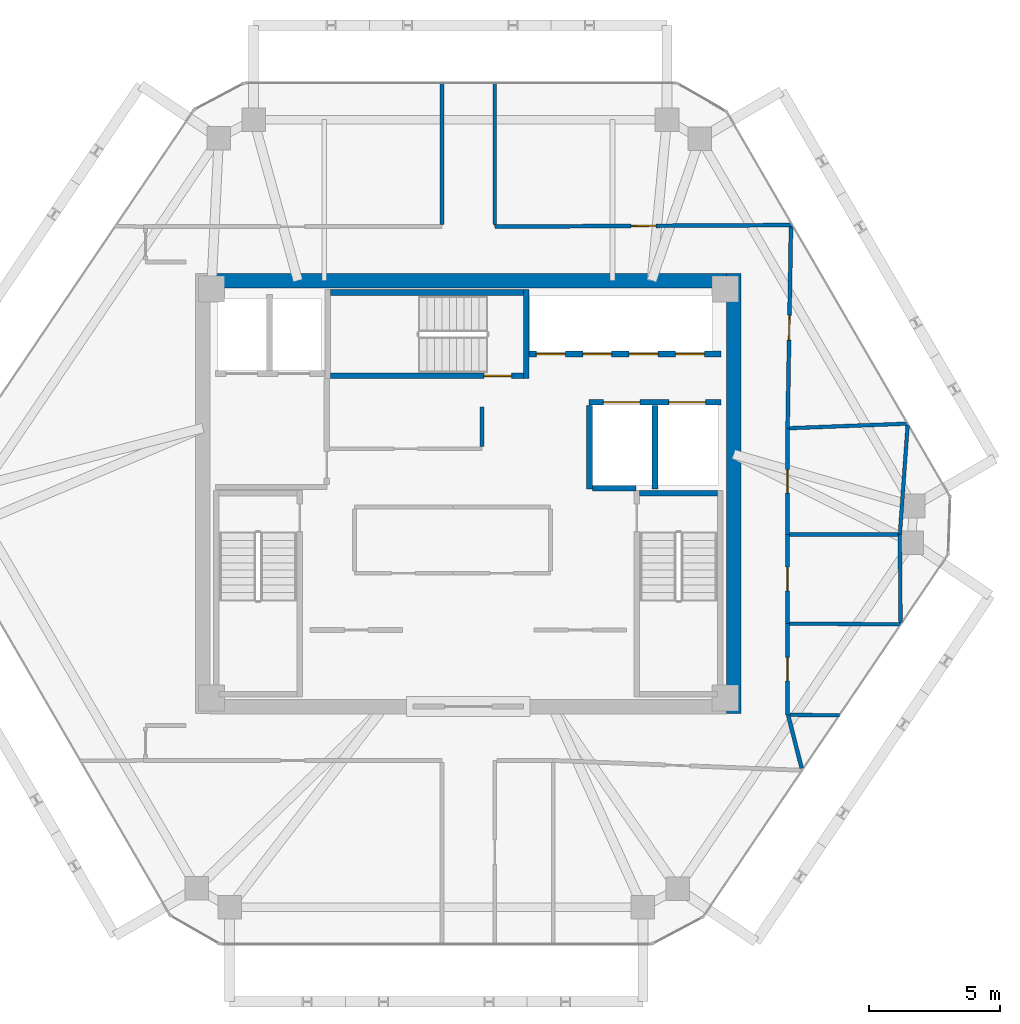
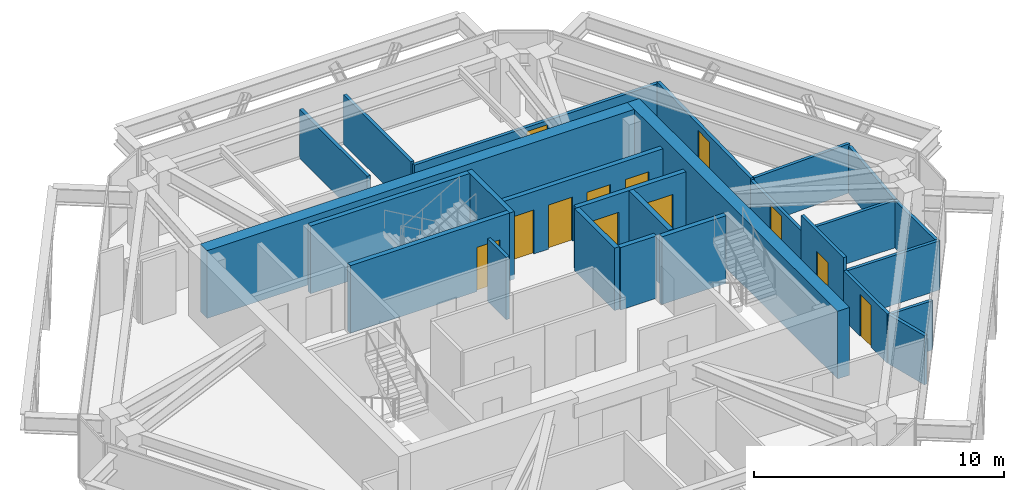
# One storey, part 9 of 11: 26 walls, 12 doors, 12 openings.
"""IFC4 building model written with IfcOpenShell, lengths in metres."""

from ifc_helpers import new_model, si_unit, direction, frame, frame_2d, origin, place, context, subcontext, project, spatial, rectangle, extrude, source, transform, mapped, material, layer, layer_set, type_object, type_shapes, element, fill, save


model = new_model("IFC4")

# Units and contexts
model_context = context("Model", 3, precision=1e-05, world=origin(), true_north=direction((0.0, 1.0)))
body_context = subcontext(model_context, "Body", "Model", "MODEL_VIEW")
ifc_project = project(units=[si_unit("LENGTHUNIT", "METRE"), si_unit("AREAUNIT", "SQUARE_METRE"), si_unit("VOLUMEUNIT", "CUBIC_METRE"), si_unit("PLANEANGLEUNIT", "RADIAN"), si_unit("MASSUNIT", "GRAM", prefix="KILO")], contexts=[model_context])

# Site, building, storey
site_placement = place(None, origin())
site = spatial("IfcSite", under=ifc_project, at=site_placement, CompositionType="ELEMENT")
building_placement = place(site_placement, origin())
building = spatial("IfcBuilding", under=site, at=building_placement, Name="Durnholm Broadcast Tower", CompositionType="ELEMENT")
storey_placement = place(building_placement, frame((0.0, 0.0, 224.89990234375)))
storey = spatial("IfcBuildingStorey", under=building, at=storey_placement, Name="L62", CompositionType="ELEMENT", Elevation=224.89990234375)

# Walls
ifc_material_1 = material(Name="Concrete C70/85", Category="concrete")
ifc_layer_1 = layer(ifc_material_1, 0.550048828125)
ifc_layer_set_1 = layer_set([ifc_layer_1], Name="Concrete C70/85")
wall_type_1 = type_object("IfcWallType", Name="WALL-CW-550", PredefinedType="SHEAR", material=ifc_layer_set_1)
wall_1_placement = place(storey_placement, frame((10.125, -8.39990234375, 0.0), z_axis=(0.0, 0.0, 1.0), x_axis=(0.0, 1.0, 0.0)))
element("IfcWall", 1, at=wall_1_placement, inside=storey, type_object=wall_type_1, Name="L62 central core shear wall CW-EAST", PredefinedType="SHEAR", context=body_context, shape_type="SweptSolid", body=[
    extrude(rectangle(XDim=16.7998046875, YDim=0.550048828125, at=frame_2d((8.39990234375, 0.0))), origin(), (0.0, 0.0, 1.0), 3.300048828125),
])
wall_2_placement = place(storey_placement, frame((-9.85009765625, 8.125, 0.0), z_axis=(0.0, 0.0, 1.0), x_axis=(1.0, 0.0, 0.0)))
element("IfcWall", 2, at=wall_2_placement, inside=storey, type_object=wall_type_1, Name="L62 central core shear wall CW-N", PredefinedType="SHEAR", context=body_context, shape_type="SweptSolid", body=[
    extrude(rectangle(XDim=19.7001953125, YDim=0.550048828125, at=frame_2d((9.85009765625, 0.0))), origin(), (0.0, 0.0, 1.0), 3.300048828125),
])
ifc_material_2 = material(Name="Acoustic Gypsum Stud Partition", Category="concrete")
ifc_layer_2 = layer(ifc_material_2, 0.14990234375)
ifc_layer_set_2 = layer_set([ifc_layer_2], Name="Acoustic Gypsum Stud Partition")
wall_type_2 = type_object("IfcWallType", Name="WALL-PART-150", PredefinedType="PARTITIONING", material=ifc_layer_set_2)
wall_3_placement = place(storey_placement, frame((0.52001953125, 3.300048828125, 0.0), z_axis=(0.0, 0.0, 1.0), x_axis=(0.0, -1.0, 0.0)))
element("IfcWall", 3, at=wall_3_placement, inside=storey, type_object=wall_type_2, Name="L62 Core Housekeeping Room corridor partition", PredefinedType="PARTITIONING", context=body_context, shape_type="SweptSolid", body=[
    extrude(rectangle(XDim=1.510986328125, YDim=0.14990234375, at=frame_2d((0.75537109375, 0.0))), origin(), (0.0, 0.0, 1.0), 3.045166015625),
])
wall_4_placement = place(storey_placement, frame((-1.010009765625, 15.662109375, 0.0), z_axis=(0.0, 0.0, 1.0), x_axis=(0.0, -1.0, 0.0)))
element("IfcWall", 4, at=wall_4_placement, inside=storey, type_object=wall_type_2, Name="L62 Open Plan Broadcast Workspace 2 corridor partition", PredefinedType="PARTITIONING", context=body_context, shape_type="SweptSolid", body=[
    extrude(rectangle(XDim=5.403076171875, YDim=0.14990234375, at=frame_2d((2.70166015625, 0.0))), origin(), (0.0, 0.0, 1.0), 2.39892578125),
])

# Wall, opening, door
wall_5_placement = place(storey_placement, frame((12.368408203125, 10.242919921875, 0.0), z_axis=(0.0, 0.0, 1.0), x_axis=(-0.999984623931, -0.005545439622, 0.0)))
wall_5 = element("IfcWall", 5, at=wall_5_placement, inside=storey, type_object=wall_type_2, Name="L62 Open Plan Broadcast Workspace 3 corridor partition", PredefinedType="PARTITIONING", context=body_context, shape_type="SweptSolid", body=[
    extrude(rectangle(XDim=11.358642578125, YDim=0.14990234375, at=frame_2d((5.67919921875, 0.0))), origin(), (0.0, 0.0, 1.0), 2.301513671875),
])
opening_1_placement = place(wall_5_placement, frame((5.2041015625, 0.0, 0.0)))
opening_1 = element("IfcOpeningElement", 6, at=opening_1_placement, cuts=wall_5, Name="Opening DR-95R", PredefinedType="OPENING", context=body_context, shape_type="SweptSolid", body=[
    extrude(rectangle(XDim=0.949951171875, YDim=2.10009765625, at=frame_2d((0.47509765625, 1.050048828125))), frame((0.0, 0.0849609375, 0.0), z_axis=(0.0, -1.0, 0.0), x_axis=(1.0, 0.0, 0.0)), (0.0, 0.0, 1.0), 0.169921875),
])
ifc_material_3 = material(Name="Acoustic Oak Veneer Timber Door", Category="wood")
ifc_layer_3 = layer(ifc_material_3, 0.050048828125)
ifc_layer_set_3 = layer_set([ifc_layer_3], Name="Acoustic Oak Veneer Timber Door")
door_type_1 = type_object("IfcDoorType", Name="DOOR-RM-950R", OperationType="NOTDEFINED", PredefinedType="DOOR", material=ifc_layer_set_3)
shared_shape_1 = source(origin(), body_context, "Body", "SweptSolid", [
    extrude(rectangle(XDim=0.949951171875, YDim=2.10009765625, at=frame_2d((0.47509765625, 1.050048828125))), frame((0.0, 0.02490234375, 0.0), z_axis=(0.0, -1.0, 0.0), x_axis=(1.0, 0.0, 0.0)), (0.0, 0.0, 1.0), 0.050048828125),
])
type_shapes(door_type_1, [shared_shape_1])
door_1_placement = place(opening_1_placement, origin())
door_1 = element("IfcDoor", 7, at=door_1_placement, inside=storey, type_object=door_type_1, Name="L62 Open Plan Broadcast Workspace 3 entrance door", OperationType="SINGLE_SWING_RIGHT", OverallHeight=2.10009765625, OverallWidth=0.949951171875, PredefinedType="DOOR", context=body_context, shape_type="MappedRepresentation", body=[
    mapped(shared_shape_1, transform((0.0, 0.0, 0.0), x_axis=(1.0, 0.0, 0.0), y_axis=(0.0, 1.0, 0.0), z_axis=(0.0, 0.0, 1.0), scale=1.0)),
])
fill(opening_1, door_1)

# Walls
wall_6_placement = place(storey_placement, frame((1.010009765625, 10.259033203125, 0.0), z_axis=(0.0, 0.0, 1.0), x_axis=(0.0, 1.0, 0.0)))
element("IfcWall", 8, at=wall_6_placement, inside=storey, type_object=wall_type_2, Name="L62 Open Plan Broadcast Workspace 3 corridor partition", PredefinedType="PARTITIONING", context=body_context, shape_type="SweptSolid", body=[
    extrude(rectangle(XDim=5.403076171875, YDim=0.14990234375, at=frame_2d((2.70166015625, 0.0))), origin(), (0.0, 0.0, 1.0), 2.39892578125),
])
wall_7_placement = place(storey_placement, frame((12.718505859375, -10.477783203125, 0.0), z_axis=(0.0, 0.0, 1.0), x_axis=(-0.246494896578, 0.96914408937, 0.0)))
element("IfcWall", 9, at=wall_7_placement, inside=storey, type_object=wall_type_2, Name="L62 Open Plan Broadcast Workspace 6 corridor partition", PredefinedType="PARTITIONING", context=body_context, shape_type="SweptSolid", body=[
    extrude(rectangle(XDim=2.102783203125, YDim=0.14990234375, at=frame_2d((1.05126953125, 0.0))), origin(), (0.0, 0.0, 1.0), 2.39892578125),
])

# Wall, opening, door
wall_8_placement = place(storey_placement, frame((12.181396484375, 2.489990234375, 0.0), z_axis=(0.0, 0.0, 1.0), x_axis=(0.016828134389, 0.999858396921, 0.0)))
wall_8 = element("IfcWall", 10, at=wall_8_placement, inside=storey, type_object=wall_type_2, Name="L62 Open Plan Broadcast Workspace 3 corridor partition", PredefinedType="PARTITIONING", context=body_context, shape_type="SweptSolid", body=[
    extrude(rectangle(XDim=7.674560546875, YDim=0.14990234375, at=frame_2d((3.83740234375, 0.0))), origin(), (0.0, 0.0, 1.0), 2.39892578125),
])
opening_2_placement = place(wall_8_placement, frame((3.3623046875, 0.0, 0.0)))
opening_2 = element("IfcOpeningElement", 11, at=opening_2_placement, cuts=wall_8, Name="Opening DR-95R", PredefinedType="OPENING", context=body_context, shape_type="SweptSolid", body=[
    extrude(rectangle(XDim=0.949951171875, YDim=2.10009765625, at=frame_2d((0.47509765625, 1.050048828125))), frame((0.0, 0.0849609375, 0.0), z_axis=(0.0, -1.0, 0.0), x_axis=(1.0, 0.0, 0.0)), (0.0, 0.0, 1.0), 0.169921875),
])
door_2_placement = place(opening_2_placement, origin())
door_2 = element("IfcDoor", 12, at=door_2_placement, inside=storey, type_object=door_type_1, Name="L62 Open Plan Broadcast Workspace 3 entrance door", OperationType="SINGLE_SWING_RIGHT", OverallHeight=2.10009765625, OverallWidth=0.949951171875, PredefinedType="DOOR", context=body_context, shape_type="MappedRepresentation", body=[
    mapped(shared_shape_1, transform((0.0, 0.0, 0.0), x_axis=(1.0, 0.0, 0.0), y_axis=(0.0, 1.0, 0.0), z_axis=(0.0, 0.0, 1.0), scale=1.0)),
])
fill(opening_2, door_2)

# Wall, openings, doors
ifc_material_4 = material(Name="Concrete Blockwork C30/37", Category="masonry")
ifc_layer_4 = layer(ifc_material_4, 0.219970703125)
ifc_layer_set_4 = layer_set([ifc_layer_4], Name="Concrete Blockwork C30/37")
wall_type_3 = type_object("IfcWallType", Name="WALL-SHAFT-220", PredefinedType="SOLIDWALL", material=ifc_layer_set_4)
wall_9_placement = place(storey_placement, frame((4.60009765625, 3.47998046875, 0.0), z_axis=(0.0, 0.0, 1.0), x_axis=(1.0, 0.0, 0.0)))
wall_9 = element("IfcWall", 13, at=wall_9_placement, inside=storey, type_object=wall_type_3, Name="L62 freight service lifts north front wall", PredefinedType="SOLIDWALL", context=body_context, shape_type="SweptSolid", body=[
    extrude(rectangle(XDim=5.0498046875, YDim=0.219970703125, at=frame_2d((2.52490234375, 0.0))), origin(), (0.0, 0.0, 1.0), 3.045166015625),
])
opening_3_placement = place(wall_9_placement, frame((0.550048828125, 0.0, 0.0)))
opening_3 = element("IfcOpeningElement", 14, at=opening_3_placement, cuts=wall_9, Name="Opening LD-SVL-2", PredefinedType="OPENING", context=body_context, shape_type="SweptSolid", body=[
    extrude(rectangle(XDim=1.39990234375, YDim=2.14990234375, at=frame_2d((0.699951171875, 1.074951171875))), frame((0.0, 0.1201171875, 0.0), z_axis=(0.0, -1.0, 0.0), x_axis=(1.0, 0.0, 0.0)), (0.0, 0.0, 1.0), 0.239990234375),
])
opening_4_placement = place(wall_9_placement, frame((3.050048828125, 0.0, 0.0)))
opening_4 = element("IfcOpeningElement", 15, at=opening_4_placement, cuts=wall_9, Name="Opening LD-SVL-1", PredefinedType="OPENING", context=body_context, shape_type="SweptSolid", body=[
    extrude(rectangle(XDim=1.39990234375, YDim=2.14990234375, at=frame_2d((0.699951171875, 1.074951171875))), frame((0.0, 0.1201171875, 0.0), z_axis=(0.0, -1.0, 0.0), x_axis=(1.0, 0.0, 0.0)), (0.0, 0.0, 1.0), 0.239990234375),
])
ifc_material_5 = material(Name="Freight Elevator Bi-Parting Sliding Landing Door", Category="steel")
ifc_layer_5 = layer(ifc_material_5, 0.050048828125)
ifc_layer_set_5 = layer_set([ifc_layer_5], Name="Freight Elevator Bi-Parting Sliding Landing Door")
door_type_2 = type_object("IfcDoorType", Name="DOOR-LIFT-SVL", OperationType="DOUBLE_DOOR_SLIDING", PredefinedType="DOOR", material=ifc_layer_set_5)
shared_shape_2 = source(origin(), body_context, "Body", "SweptSolid", [
    extrude(rectangle(XDim=1.39990234375, YDim=2.14990234375, at=frame_2d((0.699951171875, 1.074951171875))), frame((0.0, 0.02490234375, 0.0), z_axis=(0.0, -1.0, 0.0), x_axis=(1.0, 0.0, 0.0)), (0.0, 0.0, 1.0), 0.050048828125),
])
type_shapes(door_type_2, [shared_shape_2])
door_3_placement = place(opening_3_placement, origin())
door_3 = element("IfcDoor", 16, at=door_3_placement, inside=storey, type_object=door_type_2, Name="L62 freight service elevator SVL-2 sliding landing door", OperationType="DOUBLE_DOOR_SLIDING", OverallHeight=2.14990234375, OverallWidth=1.39990234375, PredefinedType="DOOR", context=body_context, shape_type="MappedRepresentation", body=[
    mapped(shared_shape_2, transform((0.0, 0.0, 0.0), x_axis=(1.0, 0.0, 0.0), y_axis=(0.0, 1.0, 0.0), z_axis=(0.0, 0.0, 1.0), scale=1.0)),
])
fill(opening_3, door_3)
door_4_placement = place(opening_4_placement, origin())
door_4 = element("IfcDoor", 17, at=door_4_placement, inside=storey, type_object=door_type_2, Name="L62 freight service elevator SVL-1 sliding landing door", OperationType="DOUBLE_DOOR_SLIDING", OverallHeight=2.14990234375, OverallWidth=1.39990234375, PredefinedType="DOOR", context=body_context, shape_type="MappedRepresentation", body=[
    mapped(shared_shape_2, transform((0.0, 0.0, 0.0), x_axis=(1.0, 0.0, 0.0), y_axis=(0.0, 1.0, 0.0), z_axis=(0.0, 0.0, 1.0), scale=1.0)),
])
fill(opening_4, door_4)

# Walls
for number, where, z_axis, x_axis, name in (
    (18, (4.6201171875, 0.179931640625, 0.0), (0.0, 0.0, 1.0), (0.0, 1.0, 0.0), "L62 freight service lift SVL-2 west wall"),
    (19, (7.1201171875, 0.179931640625, 0.0), (0.0, 0.0, 1.0), (0.0, 1.0, 0.0), "L62 freight service lifts divider wall"),
):
    element("IfcWall", number, at=place(storey_placement, frame(where, z_axis=z_axis, x_axis=x_axis)), inside=storey, type_object=wall_type_3, Name=name, PredefinedType="SOLIDWALL", context=body_context, shape_type="SweptSolid", body=[
        extrude(rectangle(XDim=3.18603515625, YDim=0.219970703125, at=frame_2d((1.593017578125, 0.0))), origin(), (0.0, 0.0, 1.0), 3.045166015625),
    ])
wall_10_placement = place(storey_placement, frame((4.73388671875, 0.199951171875, 0.0), z_axis=(0.0, 0.0, 1.0), x_axis=(1.0, 0.0, 0.0)))
element("IfcWall", 20, at=wall_10_placement, inside=storey, type_object=wall_type_3, Name="L62 freight service lift SVL-2 south wall", PredefinedType="SOLIDWALL", context=body_context, shape_type="SweptSolid", body=[
    extrude(rectangle(XDim=1.666015625, YDim=0.219970703125, at=frame_2d((0.8330078125, 0.0))), origin(), (0.0, 0.0, 1.0), 3.045166015625),
])

# Wall, openings, doors
wall_11_placement = place(storey_placement, frame((2.324951171875, 5.320068359375, 0.0), z_axis=(0.0, 0.0, 1.0), x_axis=(1.0, 0.0, 0.0)))
wall_11 = element("IfcWall", 21, at=wall_11_placement, inside=storey, type_object=wall_type_3, Name="L62 high-rise bank P3 south front wall", PredefinedType="SOLIDWALL", context=body_context, shape_type="SweptSolid", body=[
    extrude(rectangle(XDim=7.324951171875, YDim=0.219970703125, at=frame_2d((3.66259765625, 0.0))), origin(), (0.0, 0.0, 1.0), 3.045166015625),
])
opening_5_placement = place(wall_11_placement, frame((0.27490234375, 0.0, 0.0)))
opening_5 = element("IfcOpeningElement", 22, at=opening_5_placement, cuts=wall_11, Name="Opening LD-LP3-1", PredefinedType="OPENING", context=body_context, shape_type="SweptSolid", body=[
    extrude(rectangle(XDim=1.10009765625, YDim=2.14990234375, at=frame_2d((0.550048828125, 1.074951171875))), frame((0.0, 0.1201171875, 0.0), z_axis=(0.0, -1.0, 0.0), x_axis=(1.0, 0.0, 0.0)), (0.0, 0.0, 1.0), 0.239990234375),
])
opening_6_placement = place(wall_11_placement, frame((2.044921875, 0.0, 0.0)))
opening_6 = element("IfcOpeningElement", 23, at=opening_6_placement, cuts=wall_11, Name="Opening LD-LP3-2", PredefinedType="OPENING", context=body_context, shape_type="SweptSolid", body=[
    extrude(rectangle(XDim=1.10009765625, YDim=2.14990234375, at=frame_2d((0.550048828125, 1.074951171875))), frame((0.0, 0.1201171875, 0.0), z_axis=(0.0, -1.0, 0.0), x_axis=(1.0, 0.0, 0.0)), (0.0, 0.0, 1.0), 0.239990234375),
])
opening_7_placement = place(wall_11_placement, frame((3.81494140625, 0.0, 0.0)))
opening_7 = element("IfcOpeningElement", 24, at=opening_7_placement, cuts=wall_11, Name="Opening LD-LP3-3", PredefinedType="OPENING", context=body_context, shape_type="SweptSolid", body=[
    extrude(rectangle(XDim=1.10009765625, YDim=2.14990234375, at=frame_2d((0.550048828125, 1.074951171875))), frame((0.0, 0.1201171875, 0.0), z_axis=(0.0, -1.0, 0.0), x_axis=(1.0, 0.0, 0.0)), (0.0, 0.0, 1.0), 0.239990234375),
])
opening_8_placement = place(wall_11_placement, frame((5.5849609375, 0.0, 0.0)))
opening_8 = element("IfcOpeningElement", 25, at=opening_8_placement, cuts=wall_11, Name="Opening LD-LP3-4", PredefinedType="OPENING", context=body_context, shape_type="SweptSolid", body=[
    extrude(rectangle(XDim=1.10009765625, YDim=2.14990234375, at=frame_2d((0.550048828125, 1.074951171875))), frame((0.0, 0.1201171875, 0.0), z_axis=(0.0, -1.0, 0.0), x_axis=(1.0, 0.0, 0.0)), (0.0, 0.0, 1.0), 0.239990234375),
])
ifc_material_6 = material(Name="Stainless Steel Sliding Elevator Landing Door", Category="steel")
ifc_layer_6 = layer(ifc_material_6, 0.050048828125)
ifc_layer_set_6 = layer_set([ifc_layer_6], Name="Stainless Steel Sliding Elevator Landing Door")
door_type_3 = type_object("IfcDoorType", Name="DOOR-LIFT-PAX", OperationType="DOUBLE_DOOR_SLIDING", PredefinedType="DOOR", material=ifc_layer_set_6)
shared_shape_3 = source(origin(), body_context, "Body", "SweptSolid", [
    extrude(rectangle(XDim=1.10009765625, YDim=2.14990234375, at=frame_2d((0.550048828125, 1.074951171875))), frame((0.0, 0.02490234375, 0.0), z_axis=(0.0, -1.0, 0.0), x_axis=(1.0, 0.0, 0.0)), (0.0, 0.0, 1.0), 0.050048828125),
])
type_shapes(door_type_3, [shared_shape_3])
door_5_placement = place(opening_5_placement, origin())
door_5 = element("IfcDoor", 26, at=door_5_placement, inside=storey, type_object=door_type_3, Name="L62 high-rise elevator LP3-1 sliding landing door", OperationType="DOUBLE_DOOR_SLIDING", OverallHeight=2.14990234375, OverallWidth=1.10009765625, PredefinedType="DOOR", context=body_context, shape_type="MappedRepresentation", body=[
    mapped(shared_shape_3, transform((0.0, 0.0, 0.0), x_axis=(1.0, 0.0, 0.0), y_axis=(0.0, 1.0, 0.0), z_axis=(0.0, 0.0, 1.0), scale=1.0)),
])
fill(opening_5, door_5)
door_6_placement = place(opening_6_placement, origin())
door_6 = element("IfcDoor", 27, at=door_6_placement, inside=storey, type_object=door_type_3, Name="L62 high-rise elevator LP3-2 sliding landing door", OperationType="DOUBLE_DOOR_SLIDING", OverallHeight=2.14990234375, OverallWidth=1.10009765625, PredefinedType="DOOR", context=body_context, shape_type="MappedRepresentation", body=[
    mapped(shared_shape_3, transform((0.0, 0.0, 0.0), x_axis=(1.0, 0.0, 0.0), y_axis=(0.0, 1.0, 0.0), z_axis=(0.0, 0.0, 1.0), scale=1.0)),
])
fill(opening_6, door_6)
door_7_placement = place(opening_7_placement, origin())
door_7 = element("IfcDoor", 28, at=door_7_placement, inside=storey, type_object=door_type_3, Name="L62 high-rise elevator LP3-3 sliding landing door", OperationType="DOUBLE_DOOR_SLIDING", OverallHeight=2.14990234375, OverallWidth=1.10009765625, PredefinedType="DOOR", context=body_context, shape_type="MappedRepresentation", body=[
    mapped(shared_shape_3, transform((0.0, 0.0, 0.0), x_axis=(1.0, 0.0, 0.0), y_axis=(0.0, 1.0, 0.0), z_axis=(0.0, 0.0, 1.0), scale=1.0)),
])
fill(opening_7, door_7)
door_8_placement = place(opening_8_placement, origin())
door_8 = element("IfcDoor", 29, at=door_8_placement, inside=storey, type_object=door_type_3, Name="L62 high-rise elevator LP3-4 sliding landing door", OperationType="DOUBLE_DOOR_SLIDING", OverallHeight=2.14990234375, OverallWidth=1.10009765625, PredefinedType="DOOR", context=body_context, shape_type="MappedRepresentation", body=[
    mapped(shared_shape_3, transform((0.0, 0.0, 0.0), x_axis=(1.0, 0.0, 0.0), y_axis=(0.0, 1.0, 0.0), z_axis=(0.0, 0.0, 1.0), scale=1.0)),
])
fill(opening_8, door_8)

# Walls
ifc_material_7 = material(Name="Concrete C50/60", Category="concrete")
ifc_layer_7 = layer(ifc_material_7, 0.219970703125)
ifc_layer_set_7 = layer_set([ifc_layer_7], Name="Concrete C50/60")
wall_type_4 = type_object("IfcWallType", Name="WALL-SW-220", PredefinedType="SHEAR", material=ifc_layer_set_7)
wall_12_placement = place(storey_placement, frame((9.5, 0.010009765625, -0.239990234375), z_axis=(0.0, 0.0, 1.0), x_axis=(-1.0, 0.0, 0.0)))
element("IfcWall", 30, at=wall_12_placement, inside=storey, type_object=wall_type_4, Name="L62 stair ST-2 structural shaft wall N", PredefinedType="SHEAR", context=body_context, shape_type="SweptSolid", body=[
    extrude(rectangle(XDim=2.9599609375, YDim=0.219970703125, at=frame_2d((1.47998046875, 0.0))), origin(), (0.0, 0.0, 1.0), 3.300048828125),
])
wall_13_placement = place(storey_placement, frame((2.2099609375, 4.3798828125, -0.239990234375), z_axis=(0.0, 0.0, 1.0), x_axis=(0.0, 1.0, 0.0)))
element("IfcWall", 31, at=wall_13_placement, inside=storey, type_object=wall_type_4, Name="L62 stair ST-3 structural shaft wall E", PredefinedType="SHEAR", context=body_context, shape_type="SweptSolid", body=[
    extrude(rectangle(XDim=3.400146484375, YDim=0.219970703125, at=frame_2d((1.7001953125, 0.0))), origin(), (0.0, 0.0, 1.0), 3.300048828125),
])

# Wall, opening, door
wall_14_placement = place(storey_placement, frame((-5.25, 4.489990234375, -0.239990234375), z_axis=(0.0, 0.0, 1.0), x_axis=(1.0, 0.0, 0.0)))
wall_14 = element("IfcWall", 32, at=wall_14_placement, inside=storey, type_object=wall_type_4, Name="L62 stair ST-3 structural shaft wall S", PredefinedType="SHEAR", context=body_context, shape_type="SweptSolid", body=[
    extrude(rectangle(XDim=7.35009765625, YDim=0.219970703125, at=frame_2d((3.675048828125, 0.0))), origin(), (0.0, 0.0, 1.0), 3.300048828125),
])
opening_9_placement = place(wall_14_placement, frame((5.85009765625, 0.0, 0.0)))
opening_9 = element("IfcOpeningElement", 33, at=opening_9_placement, cuts=wall_14, Name="Opening DS-90L", PredefinedType="OPENING", context=body_context, shape_type="SweptSolid", body=[
    extrude(rectangle(XDim=1.050048828125, YDim=2.14990234375, at=frame_2d((0.52490234375, 1.074951171875))), frame((0.0, 0.1201171875, 0.0), z_axis=(0.0, -1.0, 0.0), x_axis=(1.0, 0.0, 0.0)), (0.0, 0.0, 1.0), 0.239990234375),
])
ifc_material_8 = material(Name="Fire-Rated Steel Door", Category="steel")
ifc_layer_8 = layer(ifc_material_8, 0.050048828125)
ifc_layer_set_8 = layer_set([ifc_layer_8], Name="Fire-Rated Steel Door")
door_type_4 = type_object("IfcDoorType", Name="DOOR-ST-FD90-L", OperationType="NOTDEFINED", PredefinedType="DOOR", material=ifc_layer_set_8)
shared_shape_4 = source(origin(), body_context, "Body", "SweptSolid", [
    extrude(rectangle(XDim=1.050048828125, YDim=2.14990234375, at=frame_2d((0.52490234375, 1.074951171875))), frame((0.0, 0.02490234375, 0.0), z_axis=(0.0, -1.0, 0.0), x_axis=(1.0, 0.0, 0.0)), (0.0, 0.0, 1.0), 0.050048828125),
])
type_shapes(door_type_4, [shared_shape_4])
door_9_placement = place(opening_9_placement, origin())
door_9 = element("IfcDoor", 34, at=door_9_placement, inside=storey, type_object=door_type_4, Name="L62 exit stair ST-3 fire door", OperationType="SINGLE_SWING_LEFT", OverallHeight=2.14990234375, OverallWidth=1.050048828125, PredefinedType="DOOR", context=body_context, shape_type="MappedRepresentation", body=[
    mapped(shared_shape_4, transform((0.0, 0.0, 0.0), x_axis=(1.0, 0.0, 0.0), y_axis=(0.0, 1.0, 0.0), z_axis=(0.0, 0.0, 1.0), scale=1.0)),
])
fill(opening_9, door_9)

# Wall
wall_15_placement = place(storey_placement, frame((2.10009765625, 7.669921875, -0.239990234375), z_axis=(0.0, 0.0, 1.0), x_axis=(-1.0, 0.0, 0.0)))
element("IfcWall", 35, at=wall_15_placement, inside=storey, type_object=wall_type_4, Name="L62 stair ST-3 structural shaft wall N", PredefinedType="SHEAR", context=body_context, shape_type="SweptSolid", body=[
    extrude(rectangle(XDim=7.35009765625, YDim=0.219970703125, at=frame_2d((3.675048828125, 0.0))), origin(), (0.0, 0.0, 1.0), 3.300048828125),
])

# Wall, opening, door
ifc_material_9 = material(Name="Moisture-Resistant Tile Partition", Category="concrete")
ifc_layer_9 = layer(ifc_material_9, 0.139892578125)
ifc_layer_set_9 = layer_set([ifc_layer_9], Name="Moisture-Resistant Tile Partition")
wall_type_5 = type_object("IfcWallType", Name="WALL-WC-140", PredefinedType="PARTITIONING", material=ifc_layer_set_9)
wall_16_placement = place(storey_placement, frame((12.179931640625, -8.43994140625, 0.0), z_axis=(0.0, 0.0, 1.0), x_axis=(0.0, 1.0, 0.0)))
wall_16 = element("IfcWall", 36, at=wall_16_placement, inside=storey, type_object=wall_type_5, Name="L62 Men's Restroom corridor partition", PredefinedType="PARTITIONING", context=body_context, shape_type="SweptSolid", body=[
    extrude(rectangle(XDim=3.47998046875, YDim=0.139892578125, at=frame_2d((1.739990234375, 0.0))), origin(), (0.0, 0.0, 1.0), 2.39892578125),
])
opening_10_placement = place(wall_16_placement, frame((1.2900390625, 0.0, 0.0)))
opening_10 = element("IfcOpeningElement", 37, at=opening_10_placement, cuts=wall_16, Name="Opening DW-90R", PredefinedType="OPENING", context=body_context, shape_type="SweptSolid", body=[
    extrude(rectangle(XDim=0.89990234375, YDim=2.050048828125, at=frame_2d((0.449951171875, 1.02490234375))), frame((0.0, 0.080078125, 0.0), z_axis=(0.0, -1.0, 0.0), x_axis=(1.0, 0.0, 0.0)), (0.0, 0.0, 1.0), 0.159912109375),
])
ifc_material_10 = material(Name="Laminate Restroom Door", Category="steel")
ifc_layer_10 = layer(ifc_material_10, 0.050048828125)
ifc_layer_set_10 = layer_set([ifc_layer_10], Name="Laminate Restroom Door")
door_type_5 = type_object("IfcDoorType", Name="DOOR-WC-900R", OperationType="NOTDEFINED", PredefinedType="DOOR", material=ifc_layer_set_10)
shared_shape_5 = source(origin(), body_context, "Body", "SweptSolid", [
    extrude(rectangle(XDim=0.89990234375, YDim=2.050048828125, at=frame_2d((0.449951171875, 1.02490234375))), frame((0.0, 0.02490234375, 0.0), z_axis=(0.0, -1.0, 0.0), x_axis=(1.0, 0.0, 0.0)), (0.0, 0.0, 1.0), 0.050048828125),
])
type_shapes(door_type_5, [shared_shape_5])
door_10_placement = place(opening_10_placement, origin())
door_10 = element("IfcDoor", 38, at=door_10_placement, inside=storey, type_object=door_type_5, Name="L62 Men's Restroom entrance door", OperationType="SINGLE_SWING_RIGHT", OverallHeight=2.050048828125, OverallWidth=0.89990234375, PredefinedType="DOOR", context=body_context, shape_type="MappedRepresentation", body=[
    mapped(shared_shape_5, transform((0.0, 0.0, 0.0), x_axis=(1.0, 0.0, 0.0), y_axis=(0.0, 1.0, 0.0), z_axis=(0.0, 0.0, 1.0), scale=1.0)),
])
fill(opening_10, door_10)

wall_17_placement = place(storey_placement, frame((12.179931640625, -4.9599609375, 0.0), z_axis=(0.0, 0.0, 1.0), x_axis=(0.0, 1.0, 0.0)))
wall_17 = element("IfcWall", 39, at=wall_17_placement, inside=storey, type_object=wall_type_5, Name="L62 Women's Restroom corridor partition", PredefinedType="PARTITIONING", context=body_context, shape_type="SweptSolid", body=[
    extrude(rectangle(XDim=3.39990234375, YDim=0.139892578125, at=frame_2d((1.699951171875, 0.0))), origin(), (0.0, 0.0, 1.0), 3.045166015625),
])
opening_11_placement = place(wall_17_placement, frame((1.25, 0.0, 0.0)))
opening_11 = element("IfcOpeningElement", 40, at=opening_11_placement, cuts=wall_17, Name="Opening DW-90L", PredefinedType="OPENING", context=body_context, shape_type="SweptSolid", body=[
    extrude(rectangle(XDim=0.89990234375, YDim=2.050048828125, at=frame_2d((0.449951171875, 1.02490234375))), frame((0.0, 0.080078125, 0.0), z_axis=(0.0, -1.0, 0.0), x_axis=(1.0, 0.0, 0.0)), (0.0, 0.0, 1.0), 0.159912109375),
])
ifc_layer_11 = layer(ifc_material_10, 0.050048828125)
ifc_layer_set_11 = layer_set([ifc_layer_11], Name="Laminate Restroom Door")
door_type_6 = type_object("IfcDoorType", Name="DOOR-WC-900L", OperationType="NOTDEFINED", PredefinedType="DOOR", material=ifc_layer_set_11)
shared_shape_6 = source(origin(), body_context, "Body", "SweptSolid", [
    extrude(rectangle(XDim=0.89990234375, YDim=2.050048828125, at=frame_2d((0.449951171875, 1.02490234375))), frame((0.0, 0.02490234375, 0.0), z_axis=(0.0, -1.0, 0.0), x_axis=(1.0, 0.0, 0.0)), (0.0, 0.0, 1.0), 0.050048828125),
])
type_shapes(door_type_6, [shared_shape_6])
door_11_placement = place(opening_11_placement, origin())
door_11 = element("IfcDoor", 41, at=door_11_placement, inside=storey, type_object=door_type_6, Name="L62 Women's Restroom entrance door", OperationType="SINGLE_SWING_LEFT", OverallHeight=2.050048828125, OverallWidth=0.89990234375, PredefinedType="DOOR", context=body_context, shape_type="MappedRepresentation", body=[
    mapped(shared_shape_6, transform((0.0, 0.0, 0.0), x_axis=(1.0, 0.0, 0.0), y_axis=(0.0, 1.0, 0.0), z_axis=(0.0, 0.0, 1.0), scale=1.0)),
])
fill(opening_11, door_11)

wall_18_placement = place(storey_placement, frame((12.179931640625, -1.56005859375, 0.0), z_axis=(0.0, 0.0, 1.0), x_axis=(0.0, 1.0, 0.0)))
wall_18 = element("IfcWall", 42, at=wall_18_placement, inside=storey, type_object=wall_type_5, Name="L62 Accessible Restroom corridor partition", PredefinedType="PARTITIONING", context=body_context, shape_type="SweptSolid", body=[
    extrude(rectangle(XDim=4.050048828125, YDim=0.139892578125, at=frame_2d((2.02490234375, 0.0))), origin(), (0.0, 0.0, 1.0), 2.301513671875),
])
opening_12_placement = place(wall_18_placement, frame((1.574951171875, 0.0, 0.0)))
opening_12 = element("IfcOpeningElement", 43, at=opening_12_placement, cuts=wall_18, Name="Opening DW-90R", PredefinedType="OPENING", context=body_context, shape_type="SweptSolid", body=[
    extrude(rectangle(XDim=0.89990234375, YDim=2.050048828125, at=frame_2d((0.449951171875, 1.02490234375))), frame((0.0, 0.080078125, 0.0), z_axis=(0.0, -1.0, 0.0), x_axis=(1.0, 0.0, 0.0)), (0.0, 0.0, 1.0), 0.159912109375),
])
door_12_placement = place(opening_12_placement, origin())
door_12 = element("IfcDoor", 44, at=door_12_placement, inside=storey, type_object=door_type_5, Name="L62 Accessible Restroom entrance door", OperationType="SINGLE_SWING_RIGHT", OverallHeight=2.050048828125, OverallWidth=0.89990234375, PredefinedType="DOOR", context=body_context, shape_type="MappedRepresentation", body=[
    mapped(shared_shape_5, transform((0.0, 0.0, 0.0), x_axis=(1.0, 0.0, 0.0), y_axis=(0.0, 1.0, 0.0), z_axis=(0.0, 0.0, 1.0), scale=1.0)),
])
fill(opening_12, door_12)

# Walls
wall_19_placement = place(storey_placement, frame((12.25390625, -4.96044921875, 0.0), z_axis=(0.0, 0.0, 1.0), x_axis=(0.999976630429, -0.006836563198, 0.0)))
element("IfcWall", 45, at=wall_19_placement, inside=storey, type_object=wall_type_5, Name="L62 room dividing partition 6.7", PredefinedType="PARTITIONING", context=body_context, shape_type="SweptSolid", body=[
    extrude(rectangle(XDim=4.24951171875, YDim=0.139892578125, at=frame_2d((2.124755859375, 0.0))), origin(), (0.0, 0.0, 1.0), 2.39892578125),
])
wall_20_placement = place(storey_placement, frame((14.155517578125, -8.46240234375, 0.0), z_axis=(0.0, 0.0, 1.0), x_axis=(-0.999935742613, 0.011336253532, 0.0)))
element("IfcWall", 46, at=wall_20_placement, inside=storey, type_object=wall_type_5, Name="L62 room dividing partition 6.13", PredefinedType="PARTITIONING", context=body_context, shape_type="SweptSolid", body=[
    extrude(rectangle(XDim=1.87353515625, YDim=0.139892578125, at=frame_2d((0.936767578125, 0.0))), origin(), (0.0, 0.0, 1.0), 2.39892578125),
])
wall_21_placement = place(storey_placement, frame((12.25390625, -1.56005859375, 0.0), z_axis=(0.0, 0.0, 1.0), x_axis=(1.0, 0.0, 0.0)))
element("IfcWall", 47, at=wall_21_placement, inside=storey, type_object=wall_type_5, Name="L62 room dividing partition 7.8", PredefinedType="PARTITIONING", context=body_context, shape_type="SweptSolid", body=[
    extrude(rectangle(XDim=4.2060546875, YDim=0.139892578125, at=frame_2d((2.10302734375, 0.0))), origin(), (0.0, 0.0, 1.0), 2.301513671875),
])
wall_22_placement = place(storey_placement, frame((16.4599609375, -1.56005859375, 0.0), z_axis=(0.0, 0.0, 1.0), x_axis=(0.009604446748, -0.999953876238, 0.0)))
element("IfcWall", 48, at=wall_22_placement, inside=storey, type_object=wall_type_5, Name="L62 room dividing partition 7.16", PredefinedType="PARTITIONING", context=body_context, shape_type="SweptSolid", body=[
    extrude(rectangle(XDim=3.35546875, YDim=0.139892578125, at=frame_2d((1.677734375, 0.0))), origin(), (0.0, 0.0, 1.0), 2.301513671875),
])
wall_23_placement = place(storey_placement, frame((12.260498046875, 2.4931640625, 0.0), z_axis=(0.0, 0.0, 1.0), x_axis=(0.999256206289, 0.038562082324, 0.0)))
element("IfcWall", 49, at=wall_23_placement, inside=storey, type_object=wall_type_5, Name="L62 room dividing partition 8.16", PredefinedType="PARTITIONING", context=body_context, shape_type="SweptSolid", body=[
    extrude(rectangle(XDim=4.5078125, YDim=0.139892578125, at=frame_2d((2.25390625, 0.0))), origin(), (0.0, 0.0, 1.0), 2.39892578125),
])
wall_24_placement = place(storey_placement, frame((16.759521484375, 2.5927734375, 0.0), z_axis=(0.0, 0.0, 1.0), x_axis=(-0.07055102187, -0.997508172053, 0.0)))
element("IfcWall", 50, at=wall_24_placement, inside=storey, type_object=wall_type_5, Name="L62 room dividing partition 8.16", PredefinedType="PARTITIONING", context=body_context, shape_type="SweptSolid", body=[
    extrude(rectangle(XDim=4.162841796875, YDim=0.139892578125, at=frame_2d((2.08154296875, 0.0))), origin(), (0.0, 0.0, 1.0), 2.301513671875),
])

save(model, "model.ifc")
